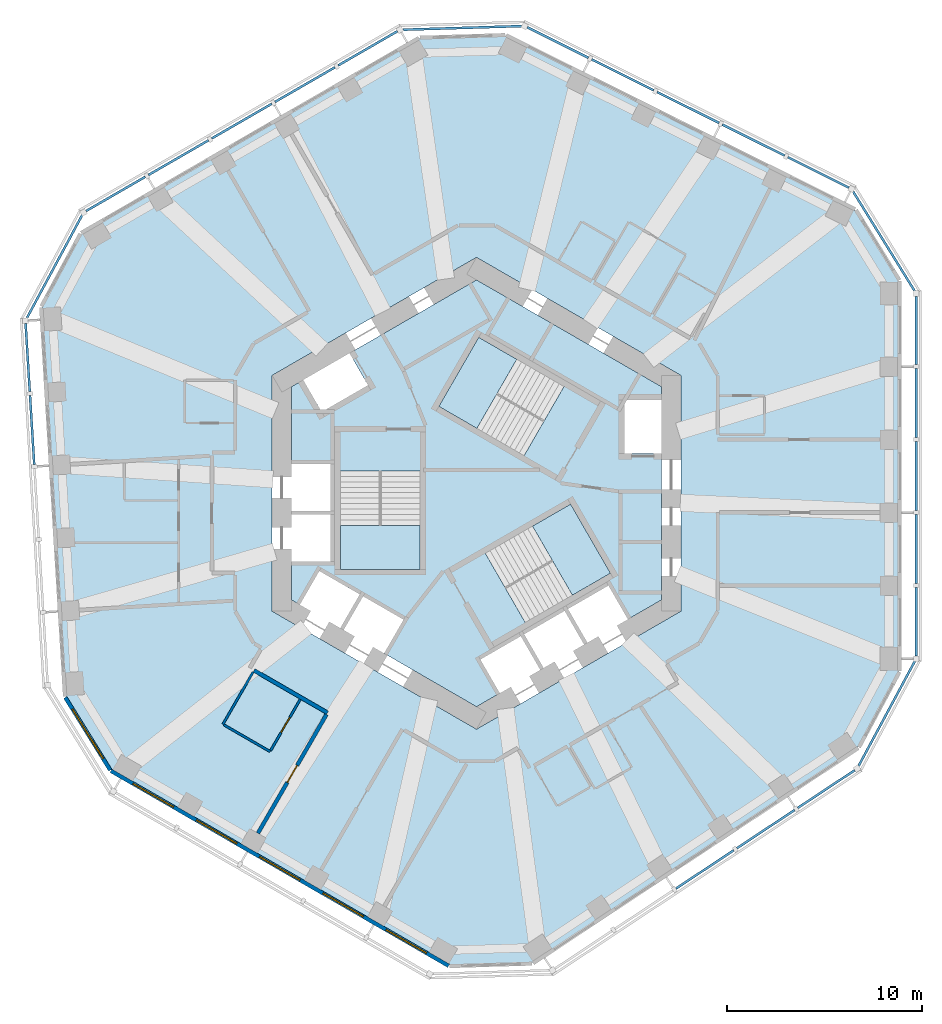
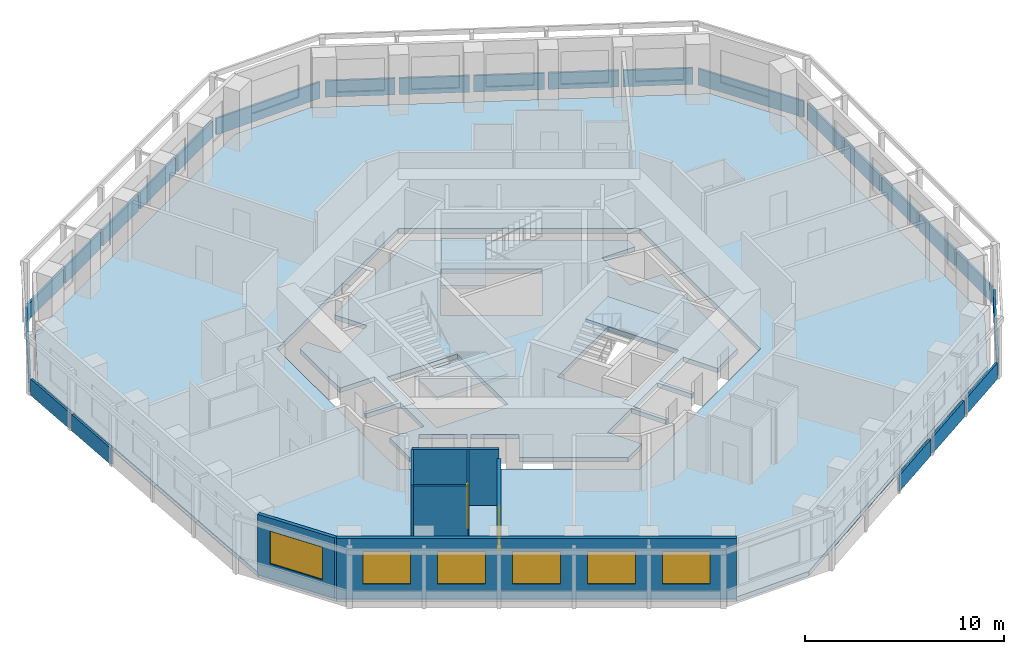
# One storey, part 3 of 11: 24 plates, 7 walls, 6 windows, 5 slabs, 2 doors, 8 openings, 12 elements without a shape of their own.
"""IFC4 building model written with IfcOpenShell, lengths in metres."""

import ifcopenshell
import ifcopenshell.guid

model = None  # the IFC model being written
_history = None  # IfcOwnerHistory: only IFC2X3 demands one
_inside = {}  # id of a spatial element -> (the spatial element, [elements in it])
_under = {}  # id of a project, library or spatial element -> (it, [spatial elements below it])
_declared = {}  # id of a project -> (the project, [libraries it declares])
_typed = {}  # id of a type object -> (the type object, [elements of that type])
_made_of = {}  # id of a material, layer set ... -> (it, [elements and type objects made of it])


def new_model(schema):
    """Start an empty IFC model of exactly this schema.

    Asked for "IFC4X3", IfcOpenShell would pick the latest addendum, in which some entities
    have other attributes; the version numbers below select the first issue.
    IFC2X3 requires an IfcOwnerHistory on every rooted entity: one is made here for all.
    """
    global model, _history
    if schema == "IFC4X3":
        model = ifcopenshell.file(schema_version=(4, 3, 0, 0))
    else:
        model = ifcopenshell.file(schema=schema)
    _inside.clear()
    _under.clear()
    _declared.clear()
    _typed.clear()
    _made_of.clear()
    _history = None
    if model.schema == "IFC2X3":
        org = make("IfcOrganization", Name="unknown")
        user = make(
            "IfcPersonAndOrganization",
            ThePerson=make("IfcPerson", FamilyName="unknown"),
            TheOrganization=org,
        )
        app = make(
            "IfcApplication",
            ApplicationDeveloper=org,
            Version="unknown",
            ApplicationFullName="unknown",
            ApplicationIdentifier="unknown",
        )
        _history = make(
            "IfcOwnerHistory",
            OwningUser=user,
            OwningApplication=app,
            ChangeAction="ADDED",
            CreationDate=0,
        )
    return model


def make(cls, **values):
    """One entity of the class cls with the attributes given. An attribute that is None is left unset."""
    return model.create_entity(
        cls, **{name: value for name, value in values.items() if value is not None}
    )


def rooted(cls, **values):
    """An entity with a GlobalId (a new one), such as an element, a storey or a relation."""
    return make(cls, GlobalId=ifcopenshell.guid.new(), OwnerHistory=_history, **values)


def si_unit(unit_type, name, prefix=None):
    """IfcSIUnit, for example si_unit("LENGTHUNIT", "METRE", prefix="MILLI")."""
    return make("IfcSIUnit", UnitType=unit_type, Prefix=prefix, Name=name)


def assignment(units):
    """IfcUnitAssignment: the units of a project."""
    return None if units is None else make("IfcUnitAssignment", Units=units)


def point(xyz):
    """IfcCartesianPoint."""
    return None if xyz is None else make("IfcCartesianPoint", Coordinates=xyz)


def direction(xyz):
    """IfcDirection."""
    return None if xyz is None else make("IfcDirection", DirectionRatios=xyz)


def frame(location, z_axis=None, x_axis=None):
    """IfcAxis2Placement3D, a coordinate frame: its origin and axes. An axis left out is left unset."""
    return make(
        "IfcAxis2Placement3D",
        Location=point(location),
        Axis=direction(z_axis),
        RefDirection=direction(x_axis),
    )


def frame_2d(location, x_axis=None):
    """IfcAxis2Placement2D, a coordinate frame in the plane: its origin and x axis."""
    return make(
        "IfcAxis2Placement2D", Location=point(location), RefDirection=direction(x_axis)
    )


def origin():
    """The frame at (0, 0, 0) with its axes left unset."""
    return frame((0.0, 0.0, 0.0))


def origin_2d():
    """The frame at (0, 0) in the plane with its x axis left unset."""
    return frame_2d((0.0, 0.0))


def place(relative_to, where):
    """IfcLocalPlacement: puts the frame where relative to a parent placement (None: the world)."""
    return make(
        "IfcLocalPlacement", PlacementRelTo=relative_to, RelativePlacement=where
    )


def context(
    kind, dimensions, precision=None, world=None, true_north=None, identifier=None
):
    """IfcGeometricRepresentationContext, for example the 3D "Model" context."""
    return make(
        "IfcGeometricRepresentationContext",
        ContextIdentifier=identifier,
        ContextType=kind,
        CoordinateSpaceDimension=dimensions,
        Precision=precision,
        WorldCoordinateSystem=world,
        TrueNorth=true_north,
    )


def subcontext(parent, identifier, kind, view, scale=None):
    """IfcGeometricRepresentationSubContext, for example "Body" below "Model"."""
    return make(
        "IfcGeometricRepresentationSubContext",
        ContextIdentifier=identifier,
        ContextType=kind,
        ParentContext=parent,
        TargetScale=scale,
        TargetView=view,
    )


def project(units=None, contexts=None):
    """IfcProject with its units and contexts."""
    return rooted(
        "IfcProject",
        Name="project",
        RepresentationContexts=contexts,
        UnitsInContext=assignment(units),
    )


def spatial(cls, under=None, at=None, **own):
    """A site, building, storey or space (cls), placed at a placement, below another one or the project."""
    s = rooted(cls, ObjectPlacement=at, **own)
    if under is not None:
        _under.setdefault(under.id(), (under, []))[1].append(s)
    return s


def polyline(points):
    """IfcPolyline through the points."""
    return make("IfcPolyline", Points=[point(p) for p in points])


def profile(cls, at=None, kind="AREA", **sizes):
    """A parametric profile (cls). Its sizes go by their IFC names, for example OverallWidth=200.0."""
    return make(cls, ProfileType=kind, Position=at, **sizes)


def rectangle(**sizes):
    """IfcRectangleProfileDef."""
    return profile("IfcRectangleProfileDef", **sizes)


def outline(outer, holes=None, kind="AREA"):
    """IfcArbitraryClosedProfileDef: a profile drawn as a closed curve; with holes, ...WithVoids."""
    if holes is None:
        return make("IfcArbitraryClosedProfileDef", ProfileType=kind, OuterCurve=outer)
    return make(
        "IfcArbitraryProfileDefWithVoids",
        ProfileType=kind,
        OuterCurve=outer,
        InnerCurves=holes,
    )


def extrude(swept, where, along, depth):
    """IfcExtrudedAreaSolid: the profile swept, set in the frame where, extruded along a direction by depth."""
    return make(
        "IfcExtrudedAreaSolid",
        SweptArea=swept,
        Position=where,
        ExtrudedDirection=direction(along),
        Depth=depth,
    )


def shape(context_of_items, identifier, shape_type, items):
    """IfcShapeRepresentation: the items that make up one representation, for example the "Body"."""
    return make(
        "IfcShapeRepresentation",
        ContextOfItems=context_of_items,
        RepresentationIdentifier=identifier,
        RepresentationType=shape_type,
        Items=items,
    )


def material(Name=None, Category=None):
    """IfcMaterial."""
    return make("IfcMaterial", Name=Name, Category=Category)


def layer(
    of_material, thickness, ventilated=None, Name=None, Category=None, Priority=None
):
    """IfcMaterialLayer: one layer of a wall or slab, of a material (None: an air gap)."""
    return make(
        "IfcMaterialLayer",
        Material=of_material,
        LayerThickness=thickness,
        IsVentilated=ventilated,
        Name=Name,
        Category=Category,
        Priority=Priority,
    )


def layer_set(layers, Name=None):
    """IfcMaterialLayerSet."""
    return make("IfcMaterialLayerSet", MaterialLayers=layers, LayerSetName=Name)


def made_of(thing, what):
    """Note that an element or type object is made of a material, layer set ...; save() writes the relation."""
    if what is not None:
        _made_of.setdefault(what.id(), (what, []))[1].append(thing)
    return thing


def type_object(cls, material=None, **own):
    """A type object (cls), such as IfcWallType, which elements share."""
    return made_of(rooted(cls, **own), material)


def element(
    cls,
    number,
    at=None,
    inside=None,
    cuts=None,
    type_object=None,
    material=None,
    context=None,
    identifier="Body",
    shape_type=None,
    held_by="IfcProductDefinitionShape",
    body=None,
    shapes=None,
    **own,
):
    """One element of the class cls, such as IfcWall. Its Tag is "e" and its number.

    at: its placement. inside: the storey or other place that contains it. cuts: it is an
    opening in that element (IfcRelVoidsElement). A single representation is given by context,
    identifier, shape_type and body (its items); several are given by shapes. held_by: the class
    of the entity that holds the representations. save() writes the other relations.
    """
    e = rooted(cls, Tag="e%d" % number, ObjectPlacement=at, **own)
    if body is not None:
        shapes = [shape(context, identifier, shape_type, body)]
    if shapes is not None:
        e.Representation = make(held_by, Representations=shapes)
    if inside is not None:
        _inside.setdefault(inside.id(), (inside, []))[1].append(e)
    if cuts is not None:
        rooted(
            "IfcRelVoidsElement", RelatingBuildingElement=cuts, RelatedOpeningElement=e
        )
    if type_object is not None:
        _typed.setdefault(type_object.id(), (type_object, []))[1].append(e)
    return made_of(e, material)


def fill(opening, filler):
    """IfcRelFillsElement: the door or window that sits in an opening."""
    return rooted(
        "IfcRelFillsElement",
        RelatingOpeningElement=opening,
        RelatedBuildingElement=filler,
    )


def aggregate(whole, parts):
    """IfcRelAggregates: a whole, such as a stair, and the parts it consists of."""
    return rooted("IfcRelAggregates", RelatingObject=whole, RelatedObjects=parts)


def save(model, path):
    """Write the relations noted so far, then the file.

    IfcRelAggregates (storeys below a building ...), IfcRelContainedInSpatialStructure (elements
    in a storey), IfcRelDefinesByType, IfcRelAssociatesMaterial and IfcRelDeclares: one each for
    every whole, place, type object, material and project.
    """
    for whole, parts in _under.values():
        aggregate(whole, parts)
    for where, things in _inside.values():
        rooted(
            "IfcRelContainedInSpatialStructure",
            RelatedElements=things,
            RelatingStructure=where,
        )
    for kind, things in _typed.values():
        rooted("IfcRelDefinesByType", RelatedObjects=things, RelatingType=kind)
    for what, things in _made_of.values():
        rooted("IfcRelAssociatesMaterial", RelatedObjects=things, RelatingMaterial=what)
    for by, libraries in _declared.values():
        rooted("IfcRelDeclares", RelatingContext=by, RelatedDefinitions=libraries)
    model.write(path)


model = new_model("IFC4")

# Units and contexts
model_context = context("Model", 3, precision=1e-05, world=origin(), true_north=direction((0.0, 1.0)))
body_context = subcontext(model_context, "Body", "Model", "MODEL_VIEW")
ifc_project = project(units=[si_unit("LENGTHUNIT", "METRE"), si_unit("AREAUNIT", "SQUARE_METRE"), si_unit("VOLUMEUNIT", "CUBIC_METRE"), si_unit("PLANEANGLEUNIT", "RADIAN"), si_unit("MASSUNIT", "GRAM", prefix="KILO")], contexts=[model_context])

# Site, building, storey
site_placement = place(None, origin())
site = spatial("IfcSite", under=ifc_project, at=site_placement, CompositionType="ELEMENT")
building_placement = place(site_placement, origin())
building = spatial("IfcBuilding", under=site, at=building_placement, Name="Vanh Sen Convention Tower", CompositionType="ELEMENT")
storey_placement = place(building_placement, frame((0.0, 0.0, 176.199951171875)))
storey = spatial("IfcBuildingStorey", under=building, at=storey_placement, Name="L43", CompositionType="ELEMENT", Elevation=176.199951171875)

# Slabs
ifc_material_1 = material(Name="Concrete C40/50", Category="concrete")
ifc_layer_1 = layer(ifc_material_1, 0.280029296875)
ifc_layer_set_1 = layer_set([ifc_layer_1], Name="Concrete C40/50")
slab_type_1 = type_object("IfcSlabType", Name="Core slab 280", PredefinedType="FLOOR", material=ifc_layer_set_1)
slab_1_placement = place(storey_placement, frame((0.0, 0.0, -0.280029296875)))
element("IfcSlab", 1, at=slab_1_placement, inside=storey, type_object=slab_type_1, Name="Core slab L43", PredefinedType="FLOOR", context=body_context, shape_type="SweptSolid", body=[
    extrude(outline(polyline([(0.0, 10.9697265625), (9.5, 5.48486328125), (9.5, 4.800048828125), (7.60009765625, 4.800048828125), (7.60009765625, 2.050048828125), (9.5, 2.050048828125), (9.5, -5.48486328125), (7.781005859375, -6.477294921875), (6.781005859375, -4.7451171875), (4.70263671875, -5.9453125), (5.70263671875, -7.67724609375), (5.529296875, -7.777099609375), (4.529296875, -6.045166015625), (2.450927734375, -7.2451171875), (3.450927734375, -8.977294921875), (3.27783203125, -9.0771484375), (2.27783203125, -7.34521484375), (0.19921875, -8.545166015625), (1.19921875, -10.277099609375), (0.0, -10.9697265625), (-4.75, -8.227294921875), (-3.75, -6.4951171875), (-5.82861328125, -5.295166015625), (-6.82861328125, -7.027099609375), (-7.001708984375, -6.92724609375), (-6.001708984375, -5.1953125), (-8.080078125, -3.9951171875), (-9.080078125, -5.727294921875), (-9.5, -5.48486328125), (-9.5, -3.5), (-7.5, -3.5), (-7.5, -1.10009765625), (-9.5, -1.10009765625), (-9.5, -0.89990234375), (-7.5, -0.89990234375), (-7.5, 1.5), (-9.5, 1.5), (-9.5, 5.48486328125), (-8.906982421875, 5.8271484375), (-7.956787109375, 4.181884765625), (-5.575439453125, 5.556884765625), (-6.525390625, 7.2021484375), (0.0, 10.9697265625)]), holes=[polyline([(-7.0, 1.1494140625), (-7.0, -3.909912109375), (-2.89990234375, -3.909912109375), (-2.89990234375, 1.1494140625), (-7.0, 1.1494140625)]), polyline([(2.504638671875, -6.63671875), (6.88623046875, -4.107177734375), (4.836181640625, -0.556396484375), (0.45458984375, -3.086181640625), (2.504638671875, -6.63671875)]), polyline([(0.11376953125, 8.01708984375), (-1.936279296875, 4.466552734375), (2.4453125, 1.936767578125), (4.495361328125, 5.487548828125), (0.11376953125, 8.01708984375)])]), origin(), (0.0, 0.0, 1.0), 0.280029296875),
])
ifc_layer_2 = layer(ifc_material_1, 0.280029296875)
ifc_layer_set_2 = layer_set([ifc_layer_2], Name="Concrete C40/50")
slab_type_2 = type_object("IfcSlabType", Name="Floor slab 280 REI 120", PredefinedType="FLOOR", material=ifc_layer_set_2)
slab_2_placement = place(storey_placement, frame((0.0, 0.0, -0.280029296875)))
element("IfcSlab", 2, at=slab_2_placement, inside=storey, type_object=slab_type_2, Name="Floor slab L43 tower", PredefinedType="FLOOR", context=body_context, shape_type="SweptSolid", body=[
    extrude(outline(polyline([(21.699951171875, -9.15087890625), (21.699951171875, 10.91943359375), (19.454833984375, 14.5478515625), (1.492919921875, 23.503173828125), (-2.925048828125, 23.368408203125), (-20.306640625, 13.3330078125), (-22.326171875, 9.574462890625), (-21.100830078125, -10.458740234375), (-18.77490234375, -14.21728515625), (-1.393310546875, -24.25244140625), (2.871337890625, -24.122314453125), (19.60791015625, -13.04443359375), (21.699951171875, -9.15087890625)]), holes=[polyline([(0.0, 12.12451171875), (-10.5, 6.062255859375), (-10.5, -6.062255859375), (0.0, -12.12451171875), (10.5, -6.062255859375), (10.5, 6.062255859375), (0.0, 12.12451171875)])]), origin(), (0.0, 0.0, 1.0), 0.280029296875),
])

# Curtain wall, plates
ifc_material_2 = material(Name="Concrete C50/60", Category="concrete")
curtain_wall_type = type_object("IfcCurtainWallType", Name="Outer skin office zone", PredefinedType="NOTDEFINED", material=ifc_material_2)
curtain_wall_1_placement = place(storey_placement, origin())
curtain_wall_1 = element("IfcCurtainWall", 3, at=curtain_wall_1_placement, inside=storey, type_object=curtain_wall_type, Name="OUTER SKIN E L43", PredefinedType="NOTDEFINED")
ifc_layer_3 = layer(ifc_material_2, 0.1201171875)
ifc_layer_set_3 = layer_set([ifc_layer_3], Name="Concrete C50/60")
plate_type = type_object("IfcPlateType", Name="Outer skin precast screen panel 120", PredefinedType="CURTAIN_PANEL", material=ifc_layer_set_3)
plate_1_placement = place(storey_placement, frame((22.60009765625, -6.59912109375, 0.0), z_axis=(0.0, 0.0, 1.0), x_axis=(0.0, 1.0, 0.0)))
plate_1 = element("IfcPlate", 4, at=plate_1_placement, type_object=plate_type, Name="OUTER SKIN screen panel E-1", PredefinedType="CURTAIN_PANEL", context=body_context, shape_type="SweptSolid", body=[
    extrude(rectangle(XDim=3.504150390625, YDim=0.1201171875, at=origin_2d()), origin(), (0.0, 0.0, 1.0), 1.0),
])
plate_2_placement = place(storey_placement, frame((22.60009765625, -2.869873046875, 0.0), z_axis=(0.0, 0.0, 1.0), x_axis=(0.0, 1.0, 0.0)))
plate_2 = element("IfcPlate", 5, at=plate_2_placement, type_object=plate_type, Name="OUTER SKIN screen panel E-2", PredefinedType="CURTAIN_PANEL", context=body_context, shape_type="SweptSolid", body=[
    extrude(rectangle(XDim=3.55419921875, YDim=0.1201171875, at=origin_2d()), origin(), (0.0, 0.0, 1.0), 1.0),
])
plate_3_placement = place(storey_placement, frame((22.60009765625, 0.88427734375, 0.0), z_axis=(0.0, 0.0, 1.0), x_axis=(0.0, 1.0, 0.0)))
plate_3 = element("IfcPlate", 6, at=plate_3_placement, type_object=plate_type, Name="OUTER SKIN screen panel E-3", PredefinedType="CURTAIN_PANEL", context=body_context, shape_type="SweptSolid", body=[
    extrude(rectangle(XDim=3.55419921875, YDim=0.1201171875, at=origin_2d()), origin(), (0.0, 0.0, 1.0), 1.0),
])
plate_4_placement = place(storey_placement, frame((22.60009765625, 4.63818359375, 0.0), z_axis=(0.0, 0.0, 1.0), x_axis=(0.0, 1.0, 0.0)))
plate_4 = element("IfcPlate", 7, at=plate_4_placement, type_object=plate_type, Name="OUTER SKIN screen panel E-4", PredefinedType="CURTAIN_PANEL", context=body_context, shape_type="SweptSolid", body=[
    extrude(rectangle(XDim=3.55419921875, YDim=0.1201171875, at=origin_2d()), origin(), (0.0, 0.0, 1.0), 1.0),
])
plate_5_placement = place(storey_placement, frame((22.60009765625, 8.367431640625, 0.0), z_axis=(0.0, 0.0, 1.0), x_axis=(0.0, 1.0, 0.0)))
plate_5 = element("IfcPlate", 8, at=plate_5_placement, type_object=plate_type, Name="OUTER SKIN screen panel E-5", PredefinedType="CURTAIN_PANEL", context=body_context, shape_type="SweptSolid", body=[
    extrude(rectangle(XDim=3.504150390625, YDim=0.1201171875, at=origin_2d()), origin(), (0.0, 0.0, 1.0), 1.0),
])
aggregate(curtain_wall_1, [plate_1, plate_2, plate_3, plate_4, plate_5])

# Curtain wall, plate
curtain_wall_2_placement = place(storey_placement, origin())
curtain_wall_2 = element("IfcCurtainWall", 9, at=curtain_wall_2_placement, inside=storey, type_object=curtain_wall_type, Name="OUTER SKIN CH1 L43", PredefinedType="NOTDEFINED")
plate_6_placement = place(storey_placement, frame((20.937255859375, 12.956298828125, 0.0), z_axis=(0.0, 0.0, 1.0), x_axis=(-0.5262035346, 0.850358653848, 0.0)))
plate_6 = element("IfcPlate", 10, at=plate_6_placement, type_object=plate_type, Name="OUTER SKIN screen panel CH1-1", PredefinedType="CURTAIN_PANEL", context=body_context, shape_type="SweptSolid", body=[
    extrude(rectangle(XDim=6.01953125, YDim=0.1201171875, at=origin_2d()), origin(), (0.0, 0.0, 1.0), 1.0),
])
aggregate(curtain_wall_2, [plate_6])

# Curtain wall, plates
curtain_wall_3_placement = place(storey_placement, origin())
curtain_wall_3 = element("IfcCurtainWall", 11, at=curtain_wall_3_placement, inside=storey, type_object=curtain_wall_type, Name="OUTER SKIN NE L43", PredefinedType="NOTDEFINED")
plate_7_placement = place(storey_placement, frame((17.572509765625, 16.491943359375, 0.0), z_axis=(0.0, 0.0, 1.0), x_axis=(-0.894943706551, 0.446179069551, 0.0)))
plate_7 = element("IfcPlate", 12, at=plate_7_placement, type_object=plate_type, Name="OUTER SKIN screen panel NE-1", PredefinedType="CURTAIN_PANEL", context=body_context, shape_type="SweptSolid", body=[
    extrude(rectangle(XDim=3.504150390625, YDim=0.1201171875, at=origin_2d()), origin(), (0.0, 0.0, 1.0), 1.0),
])
plate_8_placement = place(storey_placement, frame((14.235107421875, 18.156005859375, 0.0), z_axis=(0.0, 0.0, 1.0), x_axis=(-0.894932804072, 0.446200937017, 0.0)))
plate_8 = element("IfcPlate", 13, at=plate_8_placement, type_object=plate_type, Name="OUTER SKIN screen panel NE-2", PredefinedType="CURTAIN_PANEL", context=body_context, shape_type="SweptSolid", body=[
    extrude(rectangle(XDim=3.55419921875, YDim=0.1201171875, at=origin_2d()), origin(), (0.0, 0.0, 1.0), 1.0),
])
plate_9_placement = place(storey_placement, frame((10.87548828125, 19.8310546875, 0.0), z_axis=(0.0, 0.0, 1.0), x_axis=(-0.894932804072, 0.446200937017, 0.0)))
plate_9 = element("IfcPlate", 14, at=plate_9_placement, type_object=plate_type, Name="OUTER SKIN screen panel NE-3", PredefinedType="CURTAIN_PANEL", context=body_context, shape_type="SweptSolid", body=[
    extrude(rectangle(XDim=3.55419921875, YDim=0.1201171875, at=origin_2d()), origin(), (0.0, 0.0, 1.0), 1.0),
])
plate_10_placement = place(storey_placement, frame((7.515625, 21.506103515625, 0.0), z_axis=(0.0, 0.0, 1.0), x_axis=(-0.894932804072, 0.446200937017, 0.0)))
plate_10 = element("IfcPlate", 15, at=plate_10_placement, type_object=plate_type, Name="OUTER SKIN screen panel NE-4", PredefinedType="CURTAIN_PANEL", context=body_context, shape_type="SweptSolid", body=[
    extrude(rectangle(XDim=3.55419921875, YDim=0.1201171875, at=origin_2d()), origin(), (0.0, 0.0, 1.0), 1.0),
])
plate_11_placement = place(storey_placement, frame((4.178466796875, 23.169921875, 0.0), z_axis=(0.0, 0.0, 1.0), x_axis=(-0.894943706551, 0.446179069551, 0.0)))
plate_11 = element("IfcPlate", 16, at=plate_11_placement, type_object=plate_type, Name="OUTER SKIN screen panel NE-5", PredefinedType="CURTAIN_PANEL", context=body_context, shape_type="SweptSolid", body=[
    extrude(rectangle(XDim=3.504150390625, YDim=0.1201171875, at=origin_2d()), origin(), (0.0, 0.0, 1.0), 1.0),
])
aggregate(curtain_wall_3, [plate_7, plate_8, plate_9, plate_10, plate_11])

# Curtain wall, plate
curtain_wall_4_placement = place(storey_placement, origin())
curtain_wall_4 = element("IfcCurtainWall", 17, at=curtain_wall_4_placement, inside=storey, type_object=curtain_wall_type, Name="OUTER SKIN CH2 L43", PredefinedType="NOTDEFINED")
plate_12_placement = place(storey_placement, frame((-0.73095703125, 23.920654296875, 0.0), z_axis=(0.0, 0.0, 1.0), x_axis=(-0.999533590837, -0.03053851321, 0.0)))
plate_12 = element("IfcPlate", 18, at=plate_12_placement, type_object=plate_type, Name="OUTER SKIN screen panel CH2-1", PredefinedType="CURTAIN_PANEL", context=body_context, shape_type="SweptSolid", body=[
    extrude(rectangle(XDim=6.1171875, YDim=0.1201171875, at=origin_2d()), origin(), (0.0, 0.0, 1.0), 1.0),
])
aggregate(curtain_wall_4, [plate_12])

# Curtain wall, plates
curtain_wall_5_placement = place(storey_placement, origin())
curtain_wall_5 = element("IfcCurtainWall", 19, at=curtain_wall_5_placement, inside=storey, type_object=curtain_wall_type, Name="OUTER SKIN NW L43", PredefinedType="NOTDEFINED")
plate_13_placement = place(storey_placement, frame((-5.585205078125, 22.87158203125, 0.0), z_axis=(0.0, 0.0, 1.0), x_axis=(-0.866035002936, -0.499983373414, 0.0)))
plate_13 = element("IfcPlate", 20, at=plate_13_placement, type_object=plate_type, Name="OUTER SKIN screen panel NW-1", PredefinedType="CURTAIN_PANEL", context=body_context, shape_type="SweptSolid", body=[
    extrude(rectangle(XDim=3.504150390625, YDim=0.1201171875, at=origin_2d()), origin(), (0.0, 0.0, 1.0), 1.0),
])
plate_14_placement = place(storey_placement, frame((-8.814697265625, 21.007080078125, 0.0), z_axis=(0.0, 0.0, 1.0), x_axis=(-0.866016677006, -0.500015114919, 0.0)))
plate_14 = element("IfcPlate", 21, at=plate_14_placement, type_object=plate_type, Name="OUTER SKIN screen panel NW-2", PredefinedType="CURTAIN_PANEL", context=body_context, shape_type="SweptSolid", body=[
    extrude(rectangle(XDim=3.55419921875, YDim=0.1201171875, at=origin_2d()), origin(), (0.0, 0.0, 1.0), 1.0),
])
plate_15_placement = place(storey_placement, frame((-12.06591796875, 19.1298828125, 0.0), z_axis=(0.0, 0.0, 1.0), x_axis=(-0.866035002936, -0.499983373414, 0.0)))
plate_15 = element("IfcPlate", 22, at=plate_15_placement, type_object=plate_type, Name="OUTER SKIN screen panel NW-3", PredefinedType="CURTAIN_PANEL", context=body_context, shape_type="SweptSolid", body=[
    extrude(rectangle(XDim=3.55419921875, YDim=0.1201171875, at=origin_2d()), origin(), (0.0, 0.0, 1.0), 1.0),
])
plate_16_placement = place(storey_placement, frame((-15.31689453125, 17.2529296875, 0.0), z_axis=(0.0, 0.0, 1.0), x_axis=(-0.866016677006, -0.500015114919, 0.0)))
plate_16 = element("IfcPlate", 23, at=plate_16_placement, type_object=plate_type, Name="OUTER SKIN screen panel NW-4", PredefinedType="CURTAIN_PANEL", context=body_context, shape_type="SweptSolid", body=[
    extrude(rectangle(XDim=3.55419921875, YDim=0.1201171875, at=origin_2d()), origin(), (0.0, 0.0, 1.0), 1.0),
])
plate_17_placement = place(storey_placement, frame((-18.54638671875, 15.388427734375, 0.0), z_axis=(0.0, 0.0, 1.0), x_axis=(-0.866035002936, -0.499983373414, 0.0)))
plate_17 = element("IfcPlate", 24, at=plate_17_placement, type_object=plate_type, Name="OUTER SKIN screen panel NW-5", PredefinedType="CURTAIN_PANEL", context=body_context, shape_type="SweptSolid", body=[
    extrude(rectangle(XDim=3.504150390625, YDim=0.1201171875, at=origin_2d()), origin(), (0.0, 0.0, 1.0), 1.0),
])
aggregate(curtain_wall_5, [plate_13, plate_14, plate_15, plate_16, plate_17])

# Curtain wall, plate
curtain_wall_6_placement = place(storey_placement, origin())
curtain_wall_6 = element("IfcCurtainWall", 25, at=curtain_wall_6_placement, inside=storey, type_object=curtain_wall_type, Name="OUTER SKIN CH3 L43", PredefinedType="NOTDEFINED")
plate_18_placement = place(storey_placement, frame((-21.689208984375, 11.654052734375, 0.0), z_axis=(0.0, 0.0, 1.0), x_axis=(-0.47331812974, -0.880891564303, 0.0)))
plate_18 = element("IfcPlate", 26, at=plate_18_placement, type_object=plate_type, Name="OUTER SKIN screen panel CH3-1", PredefinedType="CURTAIN_PANEL", context=body_context, shape_type="SweptSolid", body=[
    extrude(rectangle(XDim=6.019287109375, YDim=0.1201171875, at=origin_2d()), origin(), (0.0, 0.0, 1.0), 1.0),
])
aggregate(curtain_wall_6, [plate_18])

# Curtain wall, plates
curtain_wall_7_placement = place(storey_placement, origin())
curtain_wall_7 = element("IfcCurtainWall", 27, at=curtain_wall_7_placement, inside=storey, type_object=curtain_wall_type, Name="OUTER SKIN W L43", PredefinedType="NOTDEFINED")
plate_19_placement = place(storey_placement, frame((-23.068603515625, 6.97216796875, 0.0), z_axis=(0.0, 0.0, 1.0), x_axis=(0.061053765756, -0.998134478759, 0.0)))
plate_19 = element("IfcPlate", 28, at=plate_19_placement, type_object=plate_type, Name="OUTER SKIN screen panel W-1", PredefinedType="CURTAIN_PANEL", context=body_context, shape_type="SweptSolid", body=[
    extrude(rectangle(XDim=3.504150390625, YDim=0.1201171875, at=origin_2d()), origin(), (0.0, 0.0, 1.0), 1.0),
])
plate_20_placement = place(storey_placement, frame((-22.841064453125, 3.25, 0.0), z_axis=(0.0, 0.0, 1.0), x_axis=(0.061052023682, -0.998134585316, 0.0)))
plate_20 = element("IfcPlate", 29, at=plate_20_placement, type_object=plate_type, Name="OUTER SKIN screen panel W-2", PredefinedType="CURTAIN_PANEL", context=body_context, shape_type="SweptSolid", body=[
    extrude(rectangle(XDim=3.55419921875, YDim=0.1201171875, at=origin_2d()), origin(), (0.0, 0.0, 1.0), 1.0),
])
aggregate(curtain_wall_7, [plate_19, plate_20])

curtain_wall_8_placement = place(storey_placement, origin())
curtain_wall_8 = element("IfcCurtainWall", 30, at=curtain_wall_8_placement, inside=storey, type_object=curtain_wall_type, Name="OUTER SKIN SE L43", PredefinedType="NOTDEFINED")
plate_21_placement = place(storey_placement, frame((11.736328125, -19.333984375, 0.0), z_axis=(0.0, 0.0, 1.0), x_axis=(0.833877152158, 0.551950083892, 0.0)))
plate_21 = element("IfcPlate", 31, at=plate_21_placement, type_object=plate_type, Name="OUTER SKIN screen panel SE-3", PredefinedType="CURTAIN_PANEL", context=body_context, shape_type="SweptSolid", body=[
    extrude(rectangle(XDim=3.55419921875, YDim=0.1201171875, at=origin_2d()), origin(), (0.0, 0.0, 1.0), 1.0),
])
plate_22_placement = place(storey_placement, frame((14.866943359375, -17.26171875, 0.0), z_axis=(0.0, 0.0, 1.0), x_axis=(0.833889675294, 0.551931163677, 0.0)))
plate_22 = element("IfcPlate", 32, at=plate_22_placement, type_object=plate_type, Name="OUTER SKIN screen panel SE-4", PredefinedType="CURTAIN_PANEL", context=body_context, shape_type="SweptSolid", body=[
    extrude(rectangle(XDim=3.55419921875, YDim=0.1201171875, at=origin_2d()), origin(), (0.0, 0.0, 1.0), 1.0),
])
plate_23_placement = place(storey_placement, frame((17.9765625, -15.20361328125, 0.0), z_axis=(0.0, 0.0, 1.0), x_axis=(0.833889675294, 0.551931163677, 0.0)))
plate_23 = element("IfcPlate", 33, at=plate_23_placement, type_object=plate_type, Name="OUTER SKIN screen panel SE-5", PredefinedType="CURTAIN_PANEL", context=body_context, shape_type="SweptSolid", body=[
    extrude(rectangle(XDim=3.504150390625, YDim=0.1201171875, at=origin_2d()), origin(), (0.0, 0.0, 1.0), 1.0),
])
aggregate(curtain_wall_8, [plate_21, plate_22, plate_23])

# Curtain wall, plate
curtain_wall_9_placement = place(storey_placement, origin())
curtain_wall_9 = element("IfcCurtainWall", 34, at=curtain_wall_9_placement, inside=storey, type_object=curtain_wall_type, Name="OUTER SKIN CH6 L43", PredefinedType="NOTDEFINED")
plate_24_placement = place(storey_placement, frame((21.081298828125, -11.327392578125, 0.0), z_axis=(0.0, 0.0, 1.0), x_axis=(0.473321204628, 0.880889912105, 0.0)))
plate_24 = element("IfcPlate", 35, at=plate_24_placement, type_object=plate_type, Name="OUTER SKIN screen panel CH6-1", PredefinedType="CURTAIN_PANEL", context=body_context, shape_type="SweptSolid", body=[
    extrude(rectangle(XDim=6.1171875, YDim=0.1201171875, at=origin_2d()), origin(), (0.0, 0.0, 1.0), 1.0),
])
aggregate(curtain_wall_9, [plate_24])

# Stair, slab
ifc_material_3 = material(Name="Concrete C50/60", Category="concrete")
stair_type_1 = type_object("IfcStairType", Name="Exit stair ST1 22 risers at 168.2", PredefinedType="HALF_TURN_STAIR", material=ifc_material_3)
stair_1_placement = place(storey_placement, origin())
stair_1 = element("IfcStair", 36, at=stair_1_placement, inside=storey, type_object=stair_type_1, Name="Exit stair ST1 L43", PredefinedType="HALF_TURN_STAIR")
ifc_layer_4 = layer(ifc_material_1, 0.199951171875)
ifc_layer_set_4 = layer_set([ifc_layer_4], Name="Concrete C40/50")
slab_type_3 = type_object("IfcSlabType", Name="Stair landing 200", PredefinedType="LANDING", material=ifc_layer_set_4)
slab_3_placement = place(storey_placement, frame((0.0, 0.0, 1.650146484375)))
slab_3 = element("IfcSlab", 37, at=slab_3_placement, type_object=slab_type_3, Name="ST1 landing 1", PredefinedType="LANDING", context=body_context, shape_type="SweptSolid", body=[
    extrude(outline(polyline([(2.07177734375, 6.88671875), (0.11376953125, 8.01708984375), (-1.936279296875, 4.466552734375), (0.021728515625, 3.336181640625), (2.07177734375, 6.88671875)])), origin(), (0.0, 0.0, 1.0), 0.199951171875),
])
aggregate(stair_1, [slab_3])

stair_type_2 = type_object("IfcStairType", Name="Exit stair ST2 22 risers at 168.2", PredefinedType="HALF_TURN_STAIR", material=ifc_material_3)
stair_2_placement = place(storey_placement, origin())
stair_2 = element("IfcStair", 38, at=stair_2_placement, inside=storey, type_object=stair_type_2, Name="Exit stair ST2 L43", PredefinedType="HALF_TURN_STAIR")
slab_4_placement = place(storey_placement, frame((0.0, 0.0, 1.650146484375)))
slab_4 = element("IfcSlab", 39, at=slab_4_placement, type_object=slab_type_3, Name="ST2 landing 1", PredefinedType="LANDING", context=body_context, shape_type="SweptSolid", body=[
    extrude(outline(polyline([(-7.0, -1.6494140625), (-7.0, -3.909912109375), (-2.89990234375, -3.909912109375), (-2.89990234375, -1.6494140625), (-7.0, -1.6494140625)])), origin(), (0.0, 0.0, 1.0), 0.199951171875),
])
aggregate(stair_2, [slab_4])

stair_type_3 = type_object("IfcStairType", Name="Exit stair ST3 22 risers at 168.2", PredefinedType="HALF_TURN_STAIR", material=ifc_material_3)
stair_3_placement = place(storey_placement, origin())
stair_3 = element("IfcStair", 40, at=stair_3_placement, inside=storey, type_object=stair_type_3, Name="Exit stair ST3 L43", PredefinedType="HALF_TURN_STAIR")
slab_5_placement = place(storey_placement, frame((0.0, 0.0, 1.650146484375)))
slab_5 = element("IfcSlab", 41, at=slab_5_placement, type_object=slab_type_3, Name="ST3 landing 1", PredefinedType="LANDING", context=body_context, shape_type="SweptSolid", body=[
    extrude(outline(polyline([(4.92822265625, -5.237548828125), (6.88623046875, -4.107177734375), (4.836181640625, -0.556396484375), (2.87841796875, -1.686767578125), (4.92822265625, -5.237548828125)])), origin(), (0.0, 0.0, 1.0), 0.199951171875),
])
aggregate(stair_3, [slab_5])

# Walls
ifc_material_4 = material(Name="Moisture-resistant gypsum board on steel studs", Category="steel")
ifc_layer_5 = layer(ifc_material_4, 0.1201171875)
ifc_layer_set_5 = layer_set([ifc_layer_5], Name="Moisture-resistant gypsum board on steel studs")
wall_type_1 = type_object("IfcWallType", Name="Bathroom partition 120", PredefinedType="PARTITIONING", material=ifc_layer_set_5)
wall_1_placement = place(storey_placement, frame((-13.03466796875, -11.87451171875, 0.0), z_axis=(0.0, 0.0, 1.0), x_axis=(0.500026960575, 0.86600983753, 0.0)))
element("IfcWall", 42, at=wall_1_placement, inside=storey, type_object=wall_type_1, Name="Bathroom partition 120", PredefinedType="PARTITIONING", context=body_context, shape_type="SweptSolid", body=[
    extrude(rectangle(XDim=3.099853515625, YDim=0.1201171875, at=frame_2d((1.5498046875, 0.0))), origin(), (0.0, 0.0, 1.0), 3.420166015625),
])
wall_2_placement = place(storey_placement, frame((-10.609619140625, -13.274658203125, 0.0), z_axis=(0.0, 0.0, 1.0), x_axis=(-0.866019409031, 0.500010383074, 0.0)))
element("IfcWall", 43, at=wall_2_placement, inside=storey, type_object=wall_type_1, Name="Bathroom partition 120", PredefinedType="PARTITIONING", context=body_context, shape_type="SweptSolid", body=[
    extrude(rectangle(XDim=2.740234375, YDim=0.1201171875, at=frame_2d((1.3701171875, 0.0))), origin(), (0.0, 0.0, 1.0), 3.420166015625),
])

# Wall, opening, door
wall_3_placement = place(storey_placement, frame((-9.059814453125, -10.58984375, 0.0), z_axis=(0.0, 0.0, 1.0), x_axis=(-0.49993101378, -0.866065229334, 0.0)))
wall_3 = element("IfcWall", 44, at=wall_3_placement, inside=storey, type_object=wall_type_1, Name="Bathroom partition 120", PredefinedType="PARTITIONING", context=body_context, shape_type="SweptSolid", body=[
    extrude(rectangle(XDim=3.0400390625, YDim=0.1201171875, at=frame_2d((1.52001953125, 0.0))), origin(), (0.0, 0.0, 1.0), 3.420166015625),
])
opening_1_placement = place(wall_3_placement, frame((1.070068359375, 0.0, 0.0)))
opening_1 = element("IfcOpeningElement", 45, at=opening_1_placement, cuts=wall_3, Name="Opening D41114", PredefinedType="OPENING", context=body_context, shape_type="SweptSolid", body=[
    extrude(rectangle(XDim=0.89990234375, YDim=2.10009765625, at=frame_2d((0.449951171875, 1.050048828125))), frame((0.0, 0.070068359375, 0.0), z_axis=(0.0, -1.0, 0.0), x_axis=(1.0, 0.0, 0.0)), (0.0, 0.0, 1.0), 0.14013671875),
])
ifc_material_5 = material(Name="Laminate door in steel frame", Category="steel")
door_type_1 = type_object("IfcDoorType", Name="Room internal door 900", OperationType="SINGLE_SWING_LEFT", PredefinedType="DOOR", material=ifc_material_5)
door_1_placement = place(opening_1_placement, origin())
door_1 = element("IfcDoor", 46, at=door_1_placement, inside=storey, type_object=door_type_1, Name="Internal room door D41114", OperationType="SINGLE_SWING_LEFT", OverallHeight=2.10009765625, OverallWidth=0.89990234375, PredefinedType="DOOR", context=body_context, shape_type="SweptSolid", body=[
    extrude(rectangle(XDim=0.89990234375, YDim=2.10009765625, at=frame_2d((0.449951171875, 1.050048828125))), frame((0.0, 0.02490234375, 0.0), z_axis=(0.0, -1.0, 0.0), x_axis=(1.0, 0.0, 0.0)), (0.0, 0.0, 1.0), 0.050048828125),
])
fill(opening_1, door_1)

# Wall
ifc_material_6 = material(Name="Gypsum board on steel studs with mineral wool", Category="steel")
ifc_layer_6 = layer(ifc_material_6, 0.199951171875)
ifc_layer_set_6 = layer_set([ifc_layer_6], Name="Gypsum board on steel studs with mineral wool")
wall_type_2 = type_object("IfcWallType", Name="Corridor partition wall 200", PredefinedType="PARTITIONING", material=ifc_layer_set_6)
wall_4_placement = place(storey_placement, frame((-11.4345703125, -9.103271484375, 0.0), z_axis=(0.0, 0.0, 1.0), x_axis=(0.866007399799, -0.500031182522, 0.0)))
element("IfcWall", 47, at=wall_4_placement, inside=storey, type_object=wall_type_2, Name="Corridor partition wall 200", PredefinedType="PARTITIONING", context=body_context, shape_type="SweptSolid", body=[
    extrude(rectangle(XDim=4.358154296875, YDim=0.199951171875, at=frame_2d((2.17919921875, 0.0))), origin(), (0.0, 0.0, 1.0), 3.420166015625),
])

# Wall, opening, door
wall_5_placement = place(storey_placement, frame((-11.23486328125, -17.4736328125, 0.0), z_axis=(0.0, 0.0, 1.0), x_axis=(0.500009260695, 0.866020057054, 0.0)))
wall_5 = element("IfcWall", 48, at=wall_5_placement, inside=storey, type_object=wall_type_2, Name="Corridor partition wall 200", PredefinedType="PARTITIONING", context=body_context, shape_type="SweptSolid", body=[
    extrude(rectangle(XDim=7.049072265625, YDim=0.199951171875, at=frame_2d((3.5244140625, 0.0))), origin(), (0.0, 0.0, 1.0), 2.8701171875),
])
opening_2_placement = place(wall_5_placement, frame((3.0244140625, 0.0, 0.0)))
opening_2 = element("IfcOpeningElement", 49, at=opening_2_placement, cuts=wall_5, Name="Opening D41113", PredefinedType="OPENING", context=body_context, shape_type="SweptSolid", body=[
    extrude(rectangle(XDim=1.0, YDim=2.10009765625, at=frame_2d((0.5, 1.050048828125))), frame((0.0, 0.10986328125, 0.0), z_axis=(0.0, -1.0, 0.0), x_axis=(1.0, 0.0, 0.0)), (0.0, 0.0, 1.0), 0.219970703125),
])
ifc_material_7 = material(Name="Glazed fire door in steel frame", Category="steel")
door_type_2 = type_object("IfcDoorType", Name="Tenant entrance door 1000", OperationType="SINGLE_SWING_LEFT", PredefinedType="DOOR", material=ifc_material_7)
door_2_placement = place(opening_2_placement, origin())
door_2 = element("IfcDoor", 50, at=door_2_placement, inside=storey, type_object=door_type_2, Name="Tenant suite entrance door D41113", OperationType="SINGLE_SWING_LEFT", OverallHeight=2.10009765625, OverallWidth=1.0, PredefinedType="DOOR", context=body_context, shape_type="SweptSolid", body=[
    extrude(rectangle(XDim=1.0, YDim=2.10009765625, at=frame_2d((0.5, 1.050048828125))), frame((0.0, 0.02490234375, 0.0), z_axis=(0.0, -1.0, 0.0), x_axis=(1.0, 0.0, 0.0)), (0.0, 0.0, 1.0), 0.050048828125),
])
fill(opening_2, door_2)

# Wall, opening, window
ifc_material_8 = material(Name="Insulated lightweight infill wall")
ifc_layer_7 = layer(ifc_material_8, 0.199951171875)
ifc_layer_set_7 = layer_set([ifc_layer_7], Name="Insulated lightweight infill wall")
wall_type_3 = type_object("IfcWallType", Name="External wall 200", PredefinedType="STANDARD", material=ifc_layer_set_7)
wall_6_placement = place(storey_placement, frame((-21.13671875, -10.49560546875, 0.0), z_axis=(0.0, 0.0, 1.0), x_axis=(0.526178661629, -0.850374044786, 0.0)))
wall_6 = element("IfcWall", 51, at=wall_6_placement, inside=storey, type_object=wall_type_3, Name="External wall CH4 L43", PredefinedType="STANDARD", context=body_context, shape_type="SweptSolid", body=[
    extrude(rectangle(XDim=4.394775390625, YDim=0.199951171875, at=frame_2d((2.197265625, 0.0))), origin(), (0.0, 0.0, 1.0), 3.699951171875),
])
opening_3_placement = place(wall_6_placement, frame((0.697509765625, 0.0, 0.89990234375)))
opening_3 = element("IfcOpeningElement", 52, at=opening_3_placement, cuts=wall_6, Name="Opening WO2-CH41", PredefinedType="OPENING", context=body_context, shape_type="SweptSolid", body=[
    extrude(rectangle(XDim=3.0, YDim=2.0, at=frame_2d((1.5, 1.0))), frame((0.0, 0.10986328125, 0.0), z_axis=(0.0, -1.0, 0.0), x_axis=(1.0, 0.0, 0.0)), (0.0, 0.0, 1.0), 0.219970703125),
])
ifc_material_9 = material(Name="Aluminium frame with clear low-emissivity glass", Category="aluminium")
window_type_1 = type_object("IfcWindowType", Name="Office window 3000 x 2000", PartitioningType="SINGLE_PANEL", PredefinedType="WINDOW", material=ifc_material_9)
window_1_placement = place(opening_3_placement, origin())
window_1 = element("IfcWindow", 53, at=window_1_placement, inside=storey, type_object=window_type_1, Name="Window WO2-CH41", OverallHeight=2.0, OverallWidth=3.0, PartitioningType="SINGLE_PANEL", PredefinedType="WINDOW", context=body_context, shape_type="SweptSolid", body=[
    extrude(rectangle(XDim=3.0, YDim=2.0, at=frame_2d((1.5, 1.0))), frame((0.0, 0.030029296875, 0.0), z_axis=(0.0, -1.0, 0.0), x_axis=(1.0, 0.0, 0.0)), (0.0, 0.0, 1.0), 0.06005859375),
])
fill(opening_3, window_1)

# Wall, openings, windows
wall_7_placement = place(storey_placement, frame((-18.7890625, -14.266845703125, 0.0), z_axis=(0.0, 0.0, 1.0), x_axis=(0.866023315909, -0.500003616288, 0.0)))
wall_7 = element("IfcWall", 54, at=wall_7_placement, inside=storey, type_object=wall_type_3, Name="External wall SW L43", PredefinedType="STANDARD", context=body_context, shape_type="SweptSolid", body=[
    extrude(rectangle(XDim=20.043701171875, YDim=0.199951171875, at=frame_2d((10.02197265625, 0.0))), origin(), (0.0, 0.0, 1.0), 3.699951171875),
])
opening_4_placement = place(wall_7_placement, frame((1.314453125, 0.0, 0.89990234375)))
opening_4 = element("IfcOpeningElement", 55, at=opening_4_placement, cuts=wall_7, Name="Opening WO1-SW1", PredefinedType="OPENING", context=body_context, shape_type="SweptSolid", body=[
    extrude(rectangle(XDim=2.39990234375, YDim=2.0, at=frame_2d((1.199951171875, 1.0))), frame((0.0, 0.10986328125, 0.0), z_axis=(0.0, -1.0, 0.0), x_axis=(1.0, 0.0, 0.0)), (0.0, 0.0, 1.0), 0.219970703125),
])
opening_5_placement = place(wall_7_placement, frame((5.068603515625, 0.0, 0.89990234375)))
opening_5 = element("IfcOpeningElement", 56, at=opening_5_placement, cuts=wall_7, Name="Opening WO1-SW2", PredefinedType="OPENING", context=body_context, shape_type="SweptSolid", body=[
    extrude(rectangle(XDim=2.39990234375, YDim=2.0, at=frame_2d((1.199951171875, 1.0))), frame((0.0, 0.10986328125, 0.0), z_axis=(0.0, -1.0, 0.0), x_axis=(1.0, 0.0, 0.0)), (0.0, 0.0, 1.0), 0.219970703125),
])
opening_6_placement = place(wall_7_placement, frame((8.82275390625, 0.0, 0.89990234375)))
opening_6 = element("IfcOpeningElement", 57, at=opening_6_placement, cuts=wall_7, Name="Opening WO1-SW3", PredefinedType="OPENING", context=body_context, shape_type="SweptSolid", body=[
    extrude(rectangle(XDim=2.39990234375, YDim=2.0, at=frame_2d((1.199951171875, 1.0))), frame((0.0, 0.10986328125, 0.0), z_axis=(0.0, -1.0, 0.0), x_axis=(1.0, 0.0, 0.0)), (0.0, 0.0, 1.0), 0.219970703125),
])
opening_7_placement = place(wall_7_placement, frame((12.576904296875, 0.0, 0.89990234375)))
opening_7 = element("IfcOpeningElement", 58, at=opening_7_placement, cuts=wall_7, Name="Opening WO1-SW4", PredefinedType="OPENING", context=body_context, shape_type="SweptSolid", body=[
    extrude(rectangle(XDim=2.39990234375, YDim=2.0, at=frame_2d((1.199951171875, 1.0))), frame((0.0, 0.10986328125, 0.0), z_axis=(0.0, -1.0, 0.0), x_axis=(1.0, 0.0, 0.0)), (0.0, 0.0, 1.0), 0.219970703125),
])
opening_8_placement = place(wall_7_placement, frame((16.330810546875, 0.0, 0.89990234375)))
opening_8 = element("IfcOpeningElement", 59, at=opening_8_placement, cuts=wall_7, Name="Opening WO1-SW5", PredefinedType="OPENING", context=body_context, shape_type="SweptSolid", body=[
    extrude(rectangle(XDim=2.39990234375, YDim=2.0, at=frame_2d((1.199951171875, 1.0))), frame((0.0, 0.10986328125, 0.0), z_axis=(0.0, -1.0, 0.0), x_axis=(1.0, 0.0, 0.0)), (0.0, 0.0, 1.0), 0.219970703125),
])
window_type_2 = type_object("IfcWindowType", Name="Office window 2400 x 2000", PartitioningType="SINGLE_PANEL", PredefinedType="WINDOW", material=ifc_material_9)
window_2_placement = place(opening_4_placement, origin())
window_2 = element("IfcWindow", 60, at=window_2_placement, inside=storey, type_object=window_type_2, Name="Window WO1-SW1", OverallHeight=2.0, OverallWidth=2.39990234375, PartitioningType="SINGLE_PANEL", PredefinedType="WINDOW", context=body_context, shape_type="SweptSolid", body=[
    extrude(rectangle(XDim=2.39990234375, YDim=2.0, at=frame_2d((1.199951171875, 1.0))), frame((0.0, 0.030029296875, 0.0), z_axis=(0.0, -1.0, 0.0), x_axis=(1.0, 0.0, 0.0)), (0.0, 0.0, 1.0), 0.06005859375),
])
fill(opening_4, window_2)
window_3_placement = place(opening_5_placement, origin())
window_3 = element("IfcWindow", 61, at=window_3_placement, inside=storey, type_object=window_type_2, Name="Window WO1-SW2", OverallHeight=2.0, OverallWidth=2.39990234375, PartitioningType="SINGLE_PANEL", PredefinedType="WINDOW", context=body_context, shape_type="SweptSolid", body=[
    extrude(rectangle(XDim=2.39990234375, YDim=2.0, at=frame_2d((1.199951171875, 1.0))), frame((0.0, 0.030029296875, 0.0), z_axis=(0.0, -1.0, 0.0), x_axis=(1.0, 0.0, 0.0)), (0.0, 0.0, 1.0), 0.06005859375),
])
fill(opening_5, window_3)
window_4_placement = place(opening_6_placement, origin())
window_4 = element("IfcWindow", 62, at=window_4_placement, inside=storey, type_object=window_type_2, Name="Window WO1-SW3", OverallHeight=2.0, OverallWidth=2.39990234375, PartitioningType="SINGLE_PANEL", PredefinedType="WINDOW", context=body_context, shape_type="SweptSolid", body=[
    extrude(rectangle(XDim=2.39990234375, YDim=2.0, at=frame_2d((1.199951171875, 1.0))), frame((0.0, 0.030029296875, 0.0), z_axis=(0.0, -1.0, 0.0), x_axis=(1.0, 0.0, 0.0)), (0.0, 0.0, 1.0), 0.06005859375),
])
fill(opening_6, window_4)
window_5_placement = place(opening_7_placement, origin())
window_5 = element("IfcWindow", 63, at=window_5_placement, inside=storey, type_object=window_type_2, Name="Window WO1-SW4", OverallHeight=2.0, OverallWidth=2.39990234375, PartitioningType="SINGLE_PANEL", PredefinedType="WINDOW", context=body_context, shape_type="SweptSolid", body=[
    extrude(rectangle(XDim=2.39990234375, YDim=2.0, at=frame_2d((1.199951171875, 1.0))), frame((0.0, 0.030029296875, 0.0), z_axis=(0.0, -1.0, 0.0), x_axis=(1.0, 0.0, 0.0)), (0.0, 0.0, 1.0), 0.06005859375),
])
fill(opening_7, window_5)
window_6_placement = place(opening_8_placement, origin())
window_6 = element("IfcWindow", 64, at=window_6_placement, inside=storey, type_object=window_type_2, Name="Window WO1-SW5", OverallHeight=2.0, OverallWidth=2.39990234375, PartitioningType="SINGLE_PANEL", PredefinedType="WINDOW", context=body_context, shape_type="SweptSolid", body=[
    extrude(rectangle(XDim=2.39990234375, YDim=2.0, at=frame_2d((1.199951171875, 1.0))), frame((0.0, 0.030029296875, 0.0), z_axis=(0.0, -1.0, 0.0), x_axis=(1.0, 0.0, 0.0)), (0.0, 0.0, 1.0), 0.06005859375),
])
fill(opening_8, window_6)

save(model, "model.ifc")
